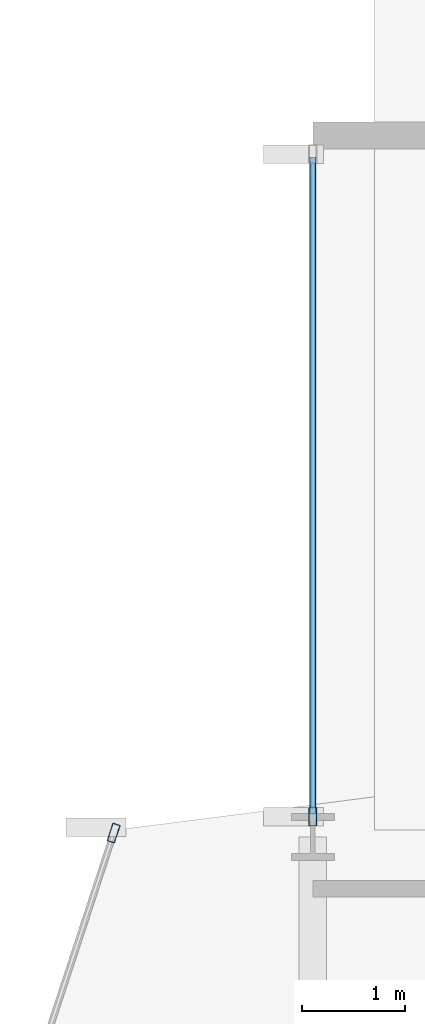
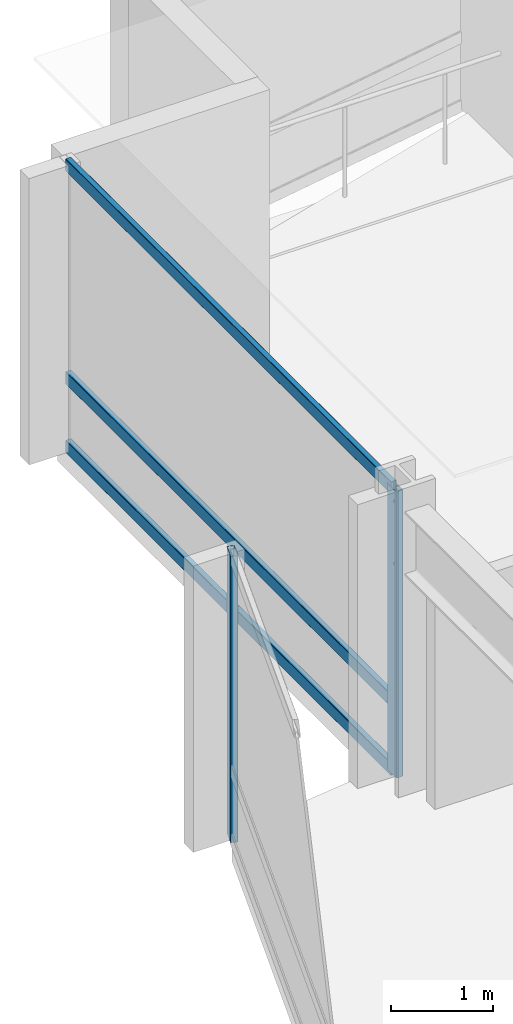
# One storey, part 16 of 28: 5 members, 2 elements without a shape of their own.
"""IFC4 building model written with IfcOpenShell, lengths in metres."""

from ifc_helpers import new_model, si_unit, direction, frame, origin, origin_2d, place, context, subcontext, project, spatial, hollow_rectangle, extrude, material, layer, layer_set, material_profile, profile_set, type_object, element, aggregate, save


model = new_model("IFC4")

# Units and contexts
model_context = context("Model", 3, precision=1e-05, world=origin(), true_north=direction((0.0, 1.0)))
body_context = subcontext(model_context, "Body", "Model", "MODEL_VIEW")
ifc_project = project(units=[si_unit("LENGTHUNIT", "METRE"), si_unit("AREAUNIT", "SQUARE_METRE"), si_unit("VOLUMEUNIT", "CUBIC_METRE"), si_unit("PLANEANGLEUNIT", "RADIAN"), si_unit("MASSUNIT", "GRAM", prefix="KILO")], contexts=[model_context])

# Site, building, storey
site_placement = place(None, origin())
site = spatial("IfcSite", under=ifc_project, at=site_placement, CompositionType="ELEMENT")
building_placement = place(site_placement, origin())
building = spatial("IfcBuilding", under=site, at=building_placement, Name="Solvaryn Broadcast Tower", CompositionType="ELEMENT")
storey_placement = place(building_placement, frame((0.0, 0.0, 135.89990234375)))
storey = spatial("IfcBuildingStorey", under=building, at=storey_placement, Name="L33", CompositionType="ELEMENT", Elevation=135.89990234375)

# Curtain wall, member
ifc_material_1 = material(Name="Aluminium and Terracotta Unitised Curtain Wall", Category="masonry")
ifc_layer = layer(ifc_material_1, 0.199951171875)
ifc_layer_set = layer_set([ifc_layer], Name="CW-SYS2-LOWMID")
curtain_wall_type = type_object("IfcCurtainWallType", Name="CW-SYS2-LOWMID", PredefinedType="NOTDEFINED", material=ifc_layer_set)
curtain_wall_1_placement = place(storey_placement, origin())
curtain_wall_1 = element("IfcCurtainWall", 1, at=curtain_wall_1_placement, inside=storey, type_object=curtain_wall_type, Name="L33 Curtain Wall DR1", PredefinedType="NOTDEFINED")
ifc_material_2 = material(Name="Anodised Aluminium 6063-T6", Category="aluminium")
ifc_material_profile_1 = material_profile(ifc_material_2, hollow_rectangle(XDim=0.074951171875, YDim=0.179931640625, WallThickness=0.00390625, InnerFilletRadius=0.00390625, OuterFilletRadius=0.008056640625, at=origin_2d()))
ifc_profile_set_1 = profile_set([ifc_material_profile_1], Name="Anodised Aluminium 6063-T6")
member_type_1 = type_object("IfcMemberType", Name="CW-MUL-180", PredefinedType="MULLION", material=ifc_profile_set_1)
member_1_placement = place(storey_placement, frame((7.069580078125, 45.03857421875, 0.0), z_axis=(0.0, 0.0, 1.0), x_axis=(0.950198260794, -0.311646057547, 0.0)))
member_1 = element("IfcMember", 2, at=member_1_placement, type_object=member_type_1, Name="CWS2 mullion 1", PredefinedType="MULLION", context=body_context, shape_type="SweptSolid", body=[
    extrude(hollow_rectangle(XDim=0.074951171875, YDim=0.179931640625, WallThickness=0.00390625, InnerFilletRadius=0.00390625, OuterFilletRadius=0.008056640625, at=origin_2d()), origin(), (0.0, 0.0, 1.0), 3.420166015625),
])
aggregate(curtain_wall_1, [member_1])

# Curtain wall, members
curtain_wall_2_placement = place(storey_placement, origin())
curtain_wall_2 = element("IfcCurtainWall", 3, at=curtain_wall_2_placement, inside=storey, type_object=curtain_wall_type, Name="L33 Curtain Wall W2", PredefinedType="NOTDEFINED")
member_2_placement = place(storey_placement, frame((9.0, 45.197021484375, 0.0), z_axis=(0.0, 0.0, 1.0), x_axis=(-1.0, 0.0, 0.0)))
member_2 = element("IfcMember", 4, at=member_2_placement, type_object=member_type_1, Name="CWS2 mullion 1", PredefinedType="MULLION", context=body_context, shape_type="SweptSolid", body=[
    extrude(hollow_rectangle(XDim=0.074951171875, YDim=0.179931640625, WallThickness=0.00390625, InnerFilletRadius=0.00390625, OuterFilletRadius=0.008056640625, at=origin_2d()), origin(), (0.0, 0.0, 1.0), 3.420166015625),
])
ifc_material_3 = material(Name="Anodised Aluminium 6063-T6", Category="aluminium")
ifc_material_profile_2 = material_profile(ifc_material_3, hollow_rectangle(XDim=0.06494140625, YDim=0.14990234375, WallThickness=0.00390625, InnerFilletRadius=0.00390625, OuterFilletRadius=0.008056640625, at=origin_2d()))
ifc_profile_set_2 = profile_set([ifc_material_profile_2], Name="Anodised Aluminium 6063-T6")
member_type_2 = type_object("IfcMemberType", Name="CW-TRN-150", PredefinedType="USERDEFINED", material=ifc_profile_set_2)
member_3_placement = place(storey_placement, frame((9.0, 45.22705078125, 0.030029296875), z_axis=(0.0, 1.0, 0.0), x_axis=(-1.0, 0.0, 0.0)))
member_3 = element("IfcMember", 5, at=member_3_placement, type_object=member_type_2, Name="CWS2 transom 1.1", ObjectType="TRANSOM", PredefinedType="USERDEFINED", context=body_context, shape_type="SweptSolid", body=[
    extrude(hollow_rectangle(XDim=0.06494140625, YDim=0.14990234375, WallThickness=0.00390625, InnerFilletRadius=0.00390625, OuterFilletRadius=0.008056640625, at=origin_2d()), origin(), (0.0, 0.0, 1.0), 6.363037109375),
])
member_4_placement = place(storey_placement, frame((9.0, 45.22705078125, 0.85009765625), z_axis=(0.0, 1.0, 0.0), x_axis=(-1.0, 0.0, 0.0)))
member_4 = element("IfcMember", 6, at=member_4_placement, type_object=member_type_2, Name="CWS2 transom 1.2", ObjectType="TRANSOM", PredefinedType="USERDEFINED", context=body_context, shape_type="SweptSolid", body=[
    extrude(hollow_rectangle(XDim=0.06494140625, YDim=0.14990234375, WallThickness=0.00390625, InnerFilletRadius=0.00390625, OuterFilletRadius=0.008056640625, at=origin_2d()), origin(), (0.0, 0.0, 1.0), 6.363037109375),
])
member_5_placement = place(storey_placement, frame((9.0, 45.22705078125, 3.39013671875), z_axis=(0.0, 1.0, 0.0), x_axis=(-1.0, 0.0, 0.0)))
member_5 = element("IfcMember", 7, at=member_5_placement, type_object=member_type_2, Name="CWS2 transom 1.3", ObjectType="TRANSOM", PredefinedType="USERDEFINED", context=body_context, shape_type="SweptSolid", body=[
    extrude(hollow_rectangle(XDim=0.06494140625, YDim=0.14990234375, WallThickness=0.00390625, InnerFilletRadius=0.00390625, OuterFilletRadius=0.008056640625, at=origin_2d()), origin(), (0.0, 0.0, 1.0), 6.363037109375),
])
aggregate(curtain_wall_2, [member_2, member_3, member_4, member_5])

save(model, "model.ifc")
